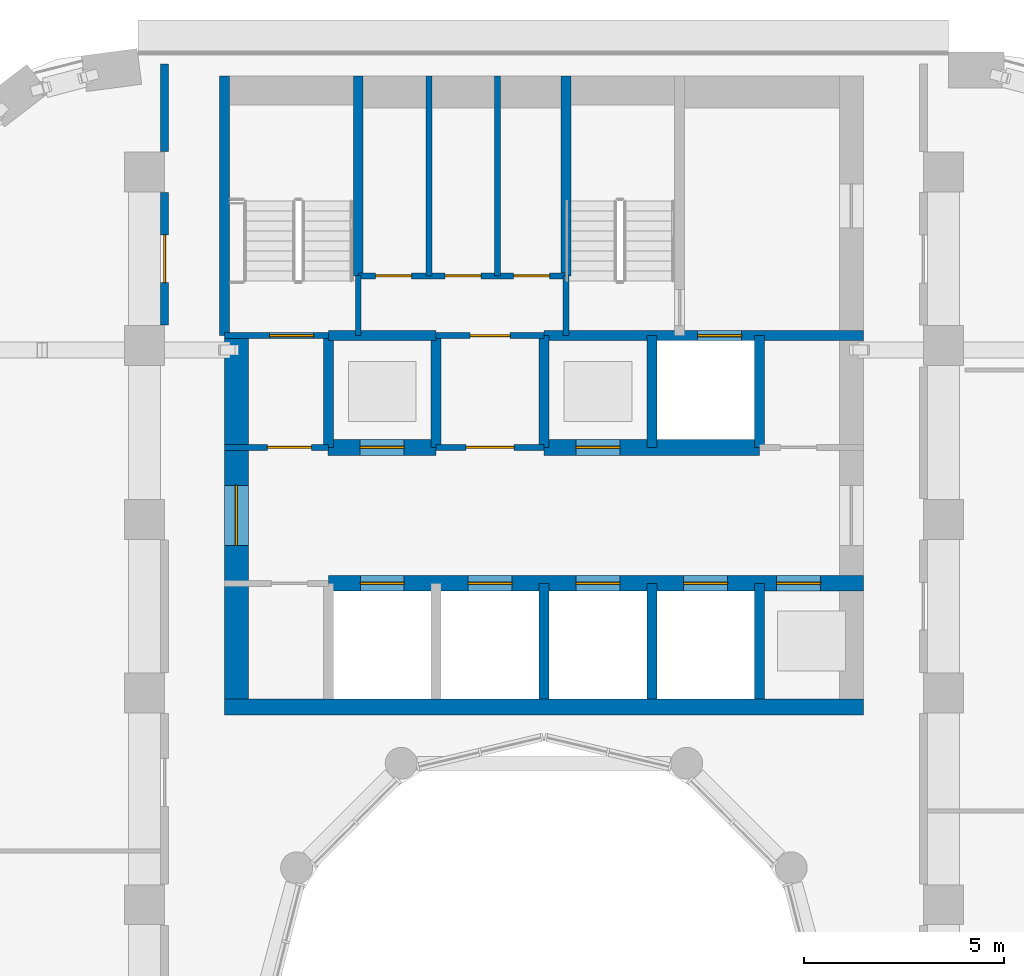
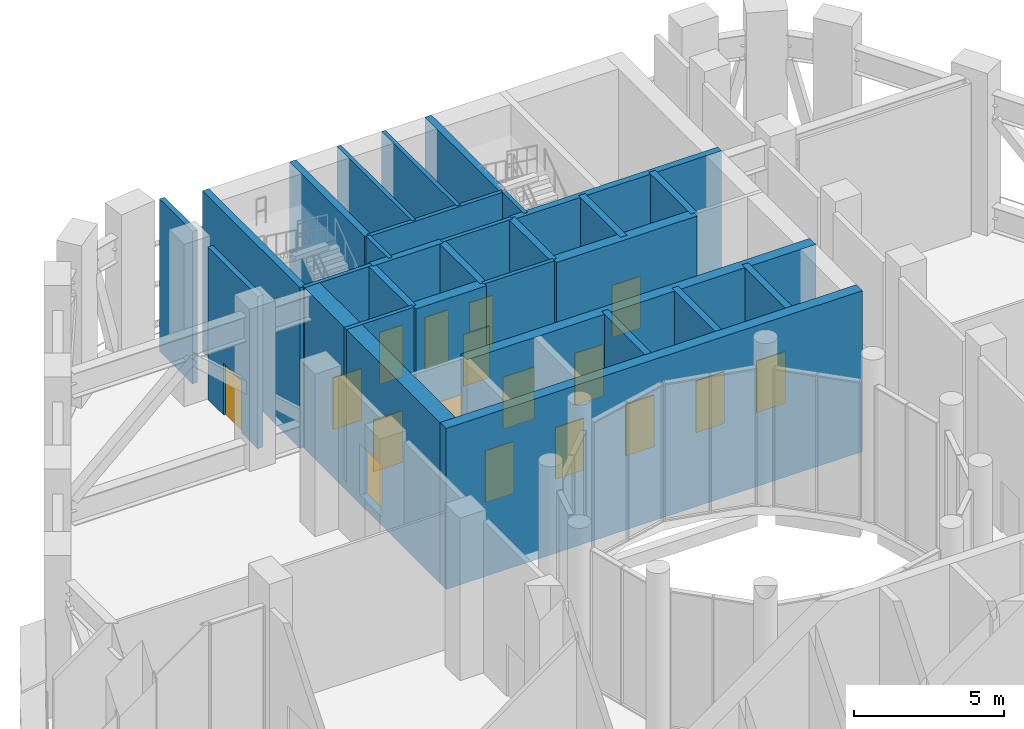
# One storey, part 10 of 21: 29 walls, 17 doors, 17 openings.
"""IFC4 building model written with IfcOpenShell, lengths in metres."""

from ifc_helpers import new_model, si_unit, direction, frame, frame_2d, origin, place, context, subcontext, project, spatial, rectangle, extrude, material, layer, layer_set, type_object, element, fill, save


model = new_model("IFC4")

# Units and contexts
model_context = context("Model", 3, precision=1e-05, world=origin(), true_north=direction((0.0, 1.0)))
body_context = subcontext(model_context, "Body", "Model", "MODEL_VIEW")
ifc_project = project(units=[si_unit("LENGTHUNIT", "METRE"), si_unit("AREAUNIT", "SQUARE_METRE"), si_unit("VOLUMEUNIT", "CUBIC_METRE"), si_unit("PLANEANGLEUNIT", "RADIAN"), si_unit("MASSUNIT", "GRAM", prefix="KILO")], contexts=[model_context])

# Site, building, storey
site_placement = place(None, origin())
site = spatial("IfcSite", under=ifc_project, at=site_placement, CompositionType="ELEMENT")
building_placement = place(site_placement, origin())
building = spatial("IfcBuilding", under=site, at=building_placement, Name="Nakaniwa Court", CompositionType="ELEMENT")
storey_placement = place(building_placement, frame((0.0, 0.0, 120.60009765625)))
storey = spatial("IfcBuildingStorey", under=building, at=storey_placement, Name="S2", CompositionType="ELEMENT", Elevation=120.60009765625)

# Wall, opening, door
ifc_material_1 = material(Name="Acoustic double stud partition")
ifc_layer_1 = layer(ifc_material_1, 0.199951171875)
ifc_layer_set_1 = layer_set([ifc_layer_1], Name="Acoustic double stud partition")
wall_type_1 = type_object("IfcWallType", Name="Acoustic double stud partition 200", PredefinedType="PARTITIONING", material=ifc_layer_set_1)
wall_1_placement = place(storey_placement, frame((70.5, 97.1669921875, 0.0), z_axis=(0.0, 0.0, 1.0), x_axis=(0.0, 1.0, 0.0)))
wall_1 = element("IfcWall", 1, at=wall_1_placement, inside=storey, type_object=wall_type_1, Name="Partition PW-085", PredefinedType="PARTITIONING", context=body_context, shape_type="SweptSolid", body=[
    extrude(rectangle(XDim=3.31591796875, YDim=0.199951171875, at=frame_2d((1.657958984375, 0.0))), origin(), (0.0, 0.0, 1.0), 6.18994140625),
])
opening_1_placement = place(wall_1_placement, frame((1.05810546875, 0.0, 0.0)))
opening_1 = element("IfcOpeningElement", 2, at=opening_1_placement, cuts=wall_1, Name="Opening D-35-06", PredefinedType="OPENING", context=body_context, shape_type="SweptSolid", body=[
    extrude(rectangle(XDim=1.199951171875, YDim=2.10009765625, at=frame_2d((0.60009765625, 1.050048828125))), frame((0.0, 0.10986328125, 0.0), z_axis=(0.0, -1.0, 0.0), x_axis=(1.0, 0.0, 0.0)), (0.0, 0.0, 1.0), 0.219970703125),
])
ifc_material_2 = material(Name="Fire rated steel door set", Category="steel")
door_type_1 = type_object("IfcDoorType", Name="Service room door 1200", OperationType="NOTDEFINED", PredefinedType="DOOR", material=ifc_material_2)
door_1_placement = place(opening_1_placement, origin())
door_1 = element("IfcDoor", 3, at=door_1_placement, inside=storey, type_object=door_type_1, Name="Door D-35-06 S2-030", OperationType="SINGLE_SWING_LEFT", OverallHeight=2.10009765625, OverallWidth=1.199951171875, PredefinedType="DOOR", context=body_context, shape_type="SweptSolid", body=[
    extrude(rectangle(XDim=1.199951171875, YDim=2.10009765625, at=frame_2d((0.60009765625, 1.050048828125))), frame((0.0, 0.02490234375, 0.0), z_axis=(0.0, -1.0, 0.0), x_axis=(1.0, 0.0, 0.0)), (0.0, 0.0, 1.0), 0.050048828125),
])
fill(opening_1, door_1)

# Wall
wall_2_placement = place(storey_placement, frame((70.5, 101.51708984375, 0.0), z_axis=(0.0, 0.0, 1.0), x_axis=(0.0, 1.0, 0.0)))
element("IfcWall", 4, at=wall_2_placement, inside=storey, type_object=wall_type_1, Name="Partition PW-086", PredefinedType="PARTITIONING", context=body_context, shape_type="SweptSolid", body=[
    extrude(rectangle(XDim=2.182861328125, YDim=0.199951171875, at=frame_2d((1.09130859375, 0.0))), origin(), (0.0, 0.0, 1.0), 6.18994140625),
])

# Wall, opening, door
ifc_material_3 = material(Name="Blockwork partition", Category="masonry")
ifc_layer_2 = layer(ifc_material_3, 0.14990234375)
ifc_layer_set_2 = layer_set([ifc_layer_2], Name="Blockwork partition")
wall_type_2 = type_object("IfcWallType", Name="Blockwork partition 150", PredefinedType="PARTITIONING", material=ifc_layer_set_2)
wall_3_placement = place(storey_placement, frame((72.0, 94.10009765625, 0.0), z_axis=(0.0, 0.0, 1.0), x_axis=(1.0, 0.0, 0.0)))
wall_3 = element("IfcWall", 5, at=wall_3_placement, inside=storey, type_object=wall_type_2, Name="Partition PW-015", PredefinedType="PARTITIONING", context=body_context, shape_type="SweptSolid", body=[
    extrude(rectangle(XDim=2.60302734375, YDim=0.14990234375, at=frame_2d((1.301513671875, 0.0))), origin(), (0.0, 0.0, 1.0), 6.18994140625),
])
opening_2_placement = place(wall_3_placement, frame((1.074951171875, 0.0, 0.0)))
opening_2 = element("IfcOpeningElement", 6, at=opening_2_placement, cuts=wall_3, Name="Opening D-08-01", PredefinedType="OPENING", context=body_context, shape_type="SweptSolid", body=[
    extrude(rectangle(XDim=1.10009765625, YDim=2.10009765625, at=frame_2d((0.550048828125, 1.050048828125))), frame((0.0, 0.0849609375, 0.0), z_axis=(0.0, -1.0, 0.0), x_axis=(1.0, 0.0, 0.0)), (0.0, 0.0, 1.0), 0.169921875),
])
door_type_2 = type_object("IfcDoorType", Name="Stair lobby door 1100", OperationType="NOTDEFINED", PredefinedType="DOOR", material=ifc_material_2)
door_2_placement = place(opening_2_placement, origin())
door_2 = element("IfcDoor", 7, at=door_2_placement, inside=storey, type_object=door_type_2, Name="Door D-08-01 S2-002", OperationType="SINGLE_SWING_LEFT", OverallHeight=2.10009765625, OverallWidth=1.10009765625, PredefinedType="DOOR", context=body_context, shape_type="SweptSolid", body=[
    extrude(rectangle(XDim=1.10009765625, YDim=2.10009765625, at=frame_2d((0.550048828125, 1.050048828125))), frame((0.0, 0.02490234375, 0.0), z_axis=(0.0, -1.0, 0.0), x_axis=(1.0, 0.0, 0.0)), (0.0, 0.0, 1.0), 0.050048828125),
])
fill(opening_2, door_2)

wall_4_placement = place(storey_placement, frame((77.297119140625, 94.10009765625, 0.0), z_axis=(0.0, 0.0, 1.0), x_axis=(1.0, 0.0, 0.0)))
wall_4 = element("IfcWall", 8, at=wall_4_placement, inside=storey, type_object=wall_type_2, Name="Partition PW-016", PredefinedType="PARTITIONING", context=body_context, shape_type="SweptSolid", body=[
    extrude(rectangle(XDim=2.705810546875, YDim=0.14990234375, at=frame_2d((1.35302734375, 0.0))), origin(), (0.0, 0.0, 1.0), 6.18994140625),
])
opening_3_placement = place(wall_4_placement, frame((0.7529296875, 0.0, 0.0)))
opening_3 = element("IfcOpeningElement", 9, at=opening_3_placement, cuts=wall_4, Name="Opening D-06-01", PredefinedType="OPENING", context=body_context, shape_type="SweptSolid", body=[
    extrude(rectangle(XDim=1.199951171875, YDim=2.10009765625, at=frame_2d((0.60009765625, 1.050048828125))), frame((0.0, 0.0849609375, 0.0), z_axis=(0.0, -1.0, 0.0), x_axis=(1.0, 0.0, 0.0)), (0.0, 0.0, 1.0), 0.169921875),
])
ifc_material_4 = material(Name="Fire rated steel double door set", Category="steel")
door_type_3 = type_object("IfcDoorType", Name="Service passage double door 1200", OperationType="NOTDEFINED", PredefinedType="DOOR", material=ifc_material_4)
door_3_placement = place(opening_3_placement, origin())
door_3 = element("IfcDoor", 10, at=door_3_placement, inside=storey, type_object=door_type_3, Name="Door D-06-01 S2-003", OperationType="DOUBLE_DOOR_SINGLE_SWING", OverallHeight=2.10009765625, OverallWidth=1.199951171875, PredefinedType="DOOR", context=body_context, shape_type="SweptSolid", body=[
    extrude(rectangle(XDim=1.199951171875, YDim=2.10009765625, at=frame_2d((0.60009765625, 1.050048828125))), frame((0.0, 0.02490234375, 0.0), z_axis=(0.0, -1.0, 0.0), x_axis=(1.0, 0.0, 0.0)), (0.0, 0.0, 1.0), 0.050048828125),
])
fill(opening_3, door_3)

wall_5_placement = place(storey_placement, frame((77.300048828125, 96.89990234375, 0.0), z_axis=(0.0, 0.0, 1.0), x_axis=(1.0, 0.0, 0.0)))
wall_5 = element("IfcWall", 11, at=wall_5_placement, inside=storey, type_object=wall_type_2, Name="Partition PW-023", PredefinedType="PARTITIONING", context=body_context, shape_type="SweptSolid", body=[
    extrude(rectangle(XDim=2.699951171875, YDim=0.14990234375, at=frame_2d((1.35009765625, 0.0))), origin(), (0.0, 0.0, 1.0), 6.18994140625),
])
opening_4_placement = place(wall_5_placement, frame((0.85009765625, 0.0, 0.0)))
opening_4 = element("IfcOpeningElement", 12, at=opening_4_placement, cuts=wall_5, Name="Opening D-23-01", PredefinedType="OPENING", context=body_context, shape_type="SweptSolid", body=[
    extrude(rectangle(XDim=1.0, YDim=2.10009765625, at=frame_2d((0.5, 1.050048828125))), frame((0.0, 0.0849609375, 0.0), z_axis=(0.0, -1.0, 0.0), x_axis=(1.0, 0.0, 0.0)), (0.0, 0.0, 1.0), 0.169921875),
])
door_type_4 = type_object("IfcDoorType", Name="Service room door 1000", OperationType="NOTDEFINED", PredefinedType="DOOR", material=ifc_material_2)
door_4_placement = place(opening_4_placement, origin())
door_4 = element("IfcDoor", 13, at=door_4_placement, inside=storey, type_object=door_type_4, Name="Door D-23-01 S2-005", OperationType="SINGLE_SWING_RIGHT", OverallHeight=2.10009765625, OverallWidth=1.0, PredefinedType="DOOR", context=body_context, shape_type="SweptSolid", body=[
    extrude(rectangle(XDim=1.0, YDim=2.10009765625, at=frame_2d((0.5, 1.050048828125))), frame((0.0, 0.02490234375, 0.0), z_axis=(0.0, -1.0, 0.0), x_axis=(1.0, 0.0, 0.0)), (0.0, 0.0, 1.0), 0.050048828125),
])
fill(opening_4, door_4)

# Wall, openings, doors
wall_6_placement = place(storey_placement, frame((75.35009765625, 98.39990234375, 0.0), z_axis=(0.0, 0.0, 1.0), x_axis=(1.0, 0.0, 0.0)))
wall_6 = element("IfcWall", 14, at=wall_6_placement, inside=storey, type_object=wall_type_2, Name="Partition PW-030", PredefinedType="PARTITIONING", context=body_context, shape_type="SweptSolid", body=[
    extrude(rectangle(XDim=5.199951171875, YDim=0.14990234375, at=frame_2d((2.60009765625, 0.0))), origin(), (0.0, 0.0, 1.0), 6.18994140625),
])
opening_5_placement = place(wall_6_placement, frame((0.43408203125, 0.0, 0.0)))
opening_5 = element("IfcOpeningElement", 15, at=opening_5_placement, cuts=wall_6, Name="Opening D-05-03", PredefinedType="OPENING", context=body_context, shape_type="SweptSolid", body=[
    extrude(rectangle(XDim=0.89990234375, YDim=2.10009765625, at=frame_2d((0.449951171875, 1.050048828125))), frame((0.0, 0.0849609375, 0.0), z_axis=(0.0, -1.0, 0.0), x_axis=(1.0, 0.0, 0.0)), (0.0, 0.0, 1.0), 0.169921875),
])
opening_6_placement = place(wall_6_placement, frame((2.176025390625, 0.0, 0.0)))
opening_6 = element("IfcOpeningElement", 16, at=opening_6_placement, cuts=wall_6, Name="Opening D-05-04", PredefinedType="OPENING", context=body_context, shape_type="SweptSolid", body=[
    extrude(rectangle(XDim=0.89990234375, YDim=2.10009765625, at=frame_2d((0.449951171875, 1.050048828125))), frame((0.0, 0.0849609375, 0.0), z_axis=(0.0, -1.0, 0.0), x_axis=(1.0, 0.0, 0.0)), (0.0, 0.0, 1.0), 0.169921875),
])
opening_7_placement = place(wall_6_placement, frame((3.89208984375, 0.0, 0.0)))
opening_7 = element("IfcOpeningElement", 17, at=opening_7_placement, cuts=wall_6, Name="Opening D-05-05", PredefinedType="OPENING", context=body_context, shape_type="SweptSolid", body=[
    extrude(rectangle(XDim=0.89990234375, YDim=2.10009765625, at=frame_2d((0.449951171875, 1.050048828125))), frame((0.0, 0.0849609375, 0.0), z_axis=(0.0, -1.0, 0.0), x_axis=(1.0, 0.0, 0.0)), (0.0, 0.0, 1.0), 0.169921875),
])
door_type_5 = type_object("IfcDoorType", Name="Service room door 900", OperationType="NOTDEFINED", PredefinedType="DOOR", material=ifc_material_2)
door_5_placement = place(opening_5_placement, origin())
door_5 = element("IfcDoor", 18, at=door_5_placement, inside=storey, type_object=door_type_5, Name="Door D-05-03 S2-006", OperationType="SINGLE_SWING_LEFT", OverallHeight=2.10009765625, OverallWidth=0.89990234375, PredefinedType="DOOR", context=body_context, shape_type="SweptSolid", body=[
    extrude(rectangle(XDim=0.89990234375, YDim=2.10009765625, at=frame_2d((0.449951171875, 1.050048828125))), frame((0.0, 0.02490234375, 0.0), z_axis=(0.0, -1.0, 0.0), x_axis=(1.0, 0.0, 0.0)), (0.0, 0.0, 1.0), 0.050048828125),
])
fill(opening_5, door_5)
door_6_placement = place(opening_6_placement, origin())
door_6 = element("IfcDoor", 19, at=door_6_placement, inside=storey, type_object=door_type_5, Name="Door D-05-04 S2-007", OperationType="SINGLE_SWING_RIGHT", OverallHeight=2.10009765625, OverallWidth=0.89990234375, PredefinedType="DOOR", context=body_context, shape_type="SweptSolid", body=[
    extrude(rectangle(XDim=0.89990234375, YDim=2.10009765625, at=frame_2d((0.449951171875, 1.050048828125))), frame((0.0, 0.02490234375, 0.0), z_axis=(0.0, -1.0, 0.0), x_axis=(1.0, 0.0, 0.0)), (0.0, 0.0, 1.0), 0.050048828125),
])
fill(opening_6, door_6)
door_7_placement = place(opening_7_placement, origin())
door_7 = element("IfcDoor", 20, at=door_7_placement, inside=storey, type_object=door_type_5, Name="Door D-05-05 S2-008", OperationType="SINGLE_SWING_LEFT", OverallHeight=2.10009765625, OverallWidth=0.89990234375, PredefinedType="DOOR", context=body_context, shape_type="SweptSolid", body=[
    extrude(rectangle(XDim=0.89990234375, YDim=2.10009765625, at=frame_2d((0.449951171875, 1.050048828125))), frame((0.0, 0.02490234375, 0.0), z_axis=(0.0, -1.0, 0.0), x_axis=(1.0, 0.0, 0.0)), (0.0, 0.0, 1.0), 0.050048828125),
])
fill(opening_7, door_7)

# Walls
for number, where, z_axis, x_axis, name in (
    (21, (77.117919921875, 98.39990234375, 0.0), (0.0, 0.0, 1.0), (0.0, 1.0, 0.0), "Partition PW-031"),
    (22, (78.833984375, 98.39990234375, 0.0), (0.0, 0.0, 1.0), (0.0, 1.0, 0.0), "Partition PW-032"),
):
    element("IfcWall", number, at=place(storey_placement, frame(where, z_axis=z_axis, x_axis=x_axis)), inside=storey, type_object=wall_type_2, Name=name, PredefinedType="PARTITIONING", context=body_context, shape_type="SweptSolid", body=[
        extrude(rectangle(XDim=5.0, YDim=0.14990234375, at=frame_2d((2.5, 0.0))), origin(), (0.0, 0.0, 1.0), 6.18994140625),
    ])

# Wall, opening, door
ifc_material_5 = material(Name="Concrete C80/100", Category="concrete")
ifc_layer_3 = layer(ifc_material_5, 0.60009765625)
ifc_layer_set_3 = layer_set([ifc_layer_3], Name="Concrete C80/100")
wall_type_3 = type_object("IfcWallType", Name="Concrete core side wall 600 C80", PredefinedType="SHEAR", material=ifc_layer_set_3)
wall_7_placement = place(storey_placement, frame((72.300048828125, 87.800048828125, -0.35009765625), z_axis=(0.0, 0.0, 1.0), x_axis=(0.0, 1.0, 0.0)))
wall_7 = element("IfcWall", 23, at=wall_7_placement, inside=storey, type_object=wall_type_3, Name="Core wall SW-04", PredefinedType="SHEAR", context=body_context, shape_type="SweptSolid", body=[
    extrude(rectangle(XDim=9.099853515625, YDim=0.60009765625, at=frame_2d((4.5498046875, 0.0))), origin(), (0.0, 0.0, 1.0), 6.5400390625),
])
opening_8_placement = place(wall_7_placement, frame((3.85009765625, 0.0, 0.35009765625)))
opening_8 = element("IfcOpeningElement", 24, at=opening_8_placement, cuts=wall_7, Name="Opening D-07-02", PredefinedType="OPENING", context=body_context, shape_type="SweptSolid", body=[
    extrude(rectangle(XDim=1.5, YDim=2.10009765625, at=frame_2d((0.75, 1.050048828125))), frame((0.0, 0.31005859375, 0.0), z_axis=(0.0, -1.0, 0.0), x_axis=(1.0, 0.0, 0.0)), (0.0, 0.0, 1.0), 0.6201171875),
])
ifc_material_6 = material(Name="Glazed fire rated steel double door set", Category="steel")
door_type_6 = type_object("IfcDoorType", Name="Lobby double door 1500", OperationType="NOTDEFINED", PredefinedType="DOOR", material=ifc_material_6)
door_8_placement = place(opening_8_placement, origin())
door_8 = element("IfcDoor", 25, at=door_8_placement, inside=storey, type_object=door_type_6, Name="Door D-07-02 S2-032", OperationType="DOUBLE_DOOR_SINGLE_SWING", OverallHeight=2.10009765625, OverallWidth=1.5, PredefinedType="DOOR", context=body_context, shape_type="SweptSolid", body=[
    extrude(rectangle(XDim=1.5, YDim=2.10009765625, at=frame_2d((0.75, 1.050048828125))), frame((0.0, 0.02490234375, 0.0), z_axis=(0.0, -1.0, 0.0), x_axis=(1.0, 0.0, 0.0)), (0.0, 0.0, 1.0), 0.050048828125),
])
fill(opening_8, door_8)

# Wall, openings, doors
ifc_layer_4 = layer(ifc_material_5, 0.39990234375)
ifc_layer_set_4 = layer_set([ifc_layer_4], Name="Concrete C80/100")
wall_type_4 = type_object("IfcWallType", Name="Concrete core spine wall 400 C80", PredefinedType="SHEAR", material=ifc_layer_set_4)
wall_8_placement = place(storey_placement, frame((74.60009765625, 90.699951171875, -0.35009765625), z_axis=(0.0, 0.0, 1.0), x_axis=(1.0, 0.0, 0.0)))
wall_8 = element("IfcWall", 26, at=wall_8_placement, inside=storey, type_object=wall_type_4, Name="Core wall SW-07", PredefinedType="SHEAR", context=body_context, shape_type="SweptSolid", body=[
    extrude(rectangle(XDim=13.39990234375, YDim=0.39990234375, at=frame_2d((6.699951171875, 0.0))), origin(), (0.0, 0.0, 1.0), 6.5400390625),
])
opening_9_placement = place(wall_8_placement, frame((0.800048828125, 0.0, 0.35009765625)))
opening_9 = element("IfcOpeningElement", 27, at=opening_9_placement, cuts=wall_8, Name="Opening LD01", PredefinedType="OPENING", context=body_context, shape_type="SweptSolid", body=[
    extrude(rectangle(XDim=1.10009765625, YDim=2.10009765625, at=frame_2d((0.550048828125, 1.050048828125))), frame((0.0, 0.2099609375, 0.0), z_axis=(0.0, -1.0, 0.0), x_axis=(1.0, 0.0, 0.0)), (0.0, 0.0, 1.0), 0.419921875),
])
opening_10_placement = place(wall_8_placement, frame((3.5, 0.0, 0.35009765625)))
opening_10 = element("IfcOpeningElement", 28, at=opening_10_placement, cuts=wall_8, Name="Opening LD02", PredefinedType="OPENING", context=body_context, shape_type="SweptSolid", body=[
    extrude(rectangle(XDim=1.10009765625, YDim=2.10009765625, at=frame_2d((0.550048828125, 1.050048828125))), frame((0.0, 0.2099609375, 0.0), z_axis=(0.0, -1.0, 0.0), x_axis=(1.0, 0.0, 0.0)), (0.0, 0.0, 1.0), 0.419921875),
])
opening_11_placement = place(wall_8_placement, frame((6.199951171875, 0.0, 0.35009765625)))
opening_11 = element("IfcOpeningElement", 29, at=opening_11_placement, cuts=wall_8, Name="Opening LD03", PredefinedType="OPENING", context=body_context, shape_type="SweptSolid", body=[
    extrude(rectangle(XDim=1.10009765625, YDim=2.10009765625, at=frame_2d((0.550048828125, 1.050048828125))), frame((0.0, 0.2099609375, 0.0), z_axis=(0.0, -1.0, 0.0), x_axis=(1.0, 0.0, 0.0)), (0.0, 0.0, 1.0), 0.419921875),
])
opening_12_placement = place(wall_8_placement, frame((8.89990234375, 0.0, 0.35009765625)))
opening_12 = element("IfcOpeningElement", 30, at=opening_12_placement, cuts=wall_8, Name="Opening LD04", PredefinedType="OPENING", context=body_context, shape_type="SweptSolid", body=[
    extrude(rectangle(XDim=1.10009765625, YDim=2.10009765625, at=frame_2d((0.550048828125, 1.050048828125))), frame((0.0, 0.2099609375, 0.0), z_axis=(0.0, -1.0, 0.0), x_axis=(1.0, 0.0, 0.0)), (0.0, 0.0, 1.0), 0.419921875),
])
opening_13_placement = place(wall_8_placement, frame((11.22509765625, 0.0, 0.35009765625)))
opening_13 = element("IfcOpeningElement", 31, at=opening_13_placement, cuts=wall_8, Name="Opening LD05", PredefinedType="OPENING", context=body_context, shape_type="SweptSolid", body=[
    extrude(rectangle(XDim=1.10009765625, YDim=2.10009765625, at=frame_2d((0.550048828125, 1.050048828125))), frame((0.0, 0.2099609375, 0.0), z_axis=(0.0, -1.0, 0.0), x_axis=(1.0, 0.0, 0.0)), (0.0, 0.0, 1.0), 0.419921875),
])
ifc_material_7 = material(Name="Stainless steel sliding lift landing door", Category="steel")
door_type_7 = type_object("IfcDoorType", Name="Lift landing door 1100", OperationType="NOTDEFINED", PredefinedType="DOOR", material=ifc_material_7)
door_9_placement = place(opening_9_placement, origin())
door_9 = element("IfcDoor", 32, at=door_9_placement, inside=storey, type_object=door_type_7, Name="Lift landing door LD01 S2-001", OperationType="SLIDING_TO_LEFT", OverallHeight=2.10009765625, OverallWidth=1.10009765625, PredefinedType="DOOR", context=body_context, shape_type="SweptSolid", body=[
    extrude(rectangle(XDim=1.10009765625, YDim=2.10009765625, at=frame_2d((0.550048828125, 1.050048828125))), frame((0.0, 0.02490234375, 0.0), z_axis=(0.0, -1.0, 0.0), x_axis=(1.0, 0.0, 0.0)), (0.0, 0.0, 1.0), 0.050048828125),
])
fill(opening_9, door_9)
door_10_placement = place(opening_10_placement, origin())
door_10 = element("IfcDoor", 33, at=door_10_placement, inside=storey, type_object=door_type_7, Name="Lift landing door LD02 S2-002", OperationType="SLIDING_TO_LEFT", OverallHeight=2.10009765625, OverallWidth=1.10009765625, PredefinedType="DOOR", context=body_context, shape_type="SweptSolid", body=[
    extrude(rectangle(XDim=1.10009765625, YDim=2.10009765625, at=frame_2d((0.550048828125, 1.050048828125))), frame((0.0, 0.02490234375, 0.0), z_axis=(0.0, -1.0, 0.0), x_axis=(1.0, 0.0, 0.0)), (0.0, 0.0, 1.0), 0.050048828125),
])
fill(opening_10, door_10)
door_11_placement = place(opening_11_placement, origin())
door_11 = element("IfcDoor", 34, at=door_11_placement, inside=storey, type_object=door_type_7, Name="Lift landing door LD03 S2-003", OperationType="SLIDING_TO_LEFT", OverallHeight=2.10009765625, OverallWidth=1.10009765625, PredefinedType="DOOR", context=body_context, shape_type="SweptSolid", body=[
    extrude(rectangle(XDim=1.10009765625, YDim=2.10009765625, at=frame_2d((0.550048828125, 1.050048828125))), frame((0.0, 0.02490234375, 0.0), z_axis=(0.0, -1.0, 0.0), x_axis=(1.0, 0.0, 0.0)), (0.0, 0.0, 1.0), 0.050048828125),
])
fill(opening_11, door_11)
door_12_placement = place(opening_12_placement, origin())
door_12 = element("IfcDoor", 35, at=door_12_placement, inside=storey, type_object=door_type_7, Name="Lift landing door LD04 S2-004", OperationType="SLIDING_TO_LEFT", OverallHeight=2.10009765625, OverallWidth=1.10009765625, PredefinedType="DOOR", context=body_context, shape_type="SweptSolid", body=[
    extrude(rectangle(XDim=1.10009765625, YDim=2.10009765625, at=frame_2d((0.550048828125, 1.050048828125))), frame((0.0, 0.02490234375, 0.0), z_axis=(0.0, -1.0, 0.0), x_axis=(1.0, 0.0, 0.0)), (0.0, 0.0, 1.0), 0.050048828125),
])
fill(opening_12, door_12)
door_13_placement = place(opening_13_placement, origin())
door_13 = element("IfcDoor", 36, at=door_13_placement, inside=storey, type_object=door_type_7, Name="Lift landing door LD05 S2-005", OperationType="SLIDING_TO_LEFT", OverallHeight=2.10009765625, OverallWidth=1.10009765625, PredefinedType="DOOR", context=body_context, shape_type="SweptSolid", body=[
    extrude(rectangle(XDim=1.10009765625, YDim=2.10009765625, at=frame_2d((0.550048828125, 1.050048828125))), frame((0.0, 0.02490234375, 0.0), z_axis=(0.0, -1.0, 0.0), x_axis=(1.0, 0.0, 0.0)), (0.0, 0.0, 1.0), 0.050048828125),
])
fill(opening_13, door_13)

# Wall, opening, door
wall_9_placement = place(storey_placement, frame((74.596923828125, 94.10009765625, -0.35009765625), z_axis=(0.0, 0.0, 1.0), x_axis=(1.0, 0.0, 0.0)))
wall_9 = element("IfcWall", 37, at=wall_9_placement, inside=storey, type_object=wall_type_4, Name="Core wall SW-18", PredefinedType="SHEAR", context=body_context, shape_type="SweptSolid", body=[
    extrude(rectangle(XDim=2.7060546875, YDim=0.39990234375, at=frame_2d((1.35302734375, 0.0))), origin(), (0.0, 0.0, 1.0), 6.5400390625),
])
opening_14_placement = place(wall_9_placement, frame((0.802978515625, 0.0, 0.35009765625)))
opening_14 = element("IfcOpeningElement", 38, at=opening_14_placement, cuts=wall_9, Name="Opening LD06", PredefinedType="OPENING", context=body_context, shape_type="SweptSolid", body=[
    extrude(rectangle(XDim=1.10009765625, YDim=2.10009765625, at=frame_2d((0.550048828125, 1.050048828125))), frame((0.0, 0.2099609375, 0.0), z_axis=(0.0, -1.0, 0.0), x_axis=(1.0, 0.0, 0.0)), (0.0, 0.0, 1.0), 0.419921875),
])
door_14_placement = place(opening_14_placement, origin())
door_14 = element("IfcDoor", 39, at=door_14_placement, inside=storey, type_object=door_type_7, Name="Lift landing door LD06 S2-006", OperationType="SLIDING_TO_LEFT", OverallHeight=2.10009765625, OverallWidth=1.10009765625, PredefinedType="DOOR", context=body_context, shape_type="SweptSolid", body=[
    extrude(rectangle(XDim=1.10009765625, YDim=2.10009765625, at=frame_2d((0.550048828125, 1.050048828125))), frame((0.0, 0.02490234375, 0.0), z_axis=(0.0, -1.0, 0.0), x_axis=(1.0, 0.0, 0.0)), (0.0, 0.0, 1.0), 0.050048828125),
])
fill(opening_14, door_14)

wall_10_placement = place(storey_placement, frame((79.9970703125, 94.10009765625, -0.35009765625), z_axis=(0.0, 0.0, 1.0), x_axis=(1.0, 0.0, 0.0)))
wall_10 = element("IfcWall", 40, at=wall_10_placement, inside=storey, type_object=wall_type_4, Name="Core wall SW-19", PredefinedType="SHEAR", context=body_context, shape_type="SweptSolid", body=[
    extrude(rectangle(XDim=5.406005859375, YDim=0.39990234375, at=frame_2d((2.703125, 0.0))), origin(), (0.0, 0.0, 1.0), 6.5400390625),
])
opening_15_placement = place(wall_10_placement, frame((0.802978515625, 0.0, 0.35009765625)))
opening_15 = element("IfcOpeningElement", 41, at=opening_15_placement, cuts=wall_10, Name="Opening LD07", PredefinedType="OPENING", context=body_context, shape_type="SweptSolid", body=[
    extrude(rectangle(XDim=1.10009765625, YDim=2.10009765625, at=frame_2d((0.550048828125, 1.050048828125))), frame((0.0, 0.2099609375, 0.0), z_axis=(0.0, -1.0, 0.0), x_axis=(1.0, 0.0, 0.0)), (0.0, 0.0, 1.0), 0.419921875),
])
door_15_placement = place(opening_15_placement, origin())
door_15 = element("IfcDoor", 42, at=door_15_placement, inside=storey, type_object=door_type_7, Name="Lift landing door LD07 S2-007", OperationType="SLIDING_TO_LEFT", OverallHeight=2.10009765625, OverallWidth=1.10009765625, PredefinedType="DOOR", context=body_context, shape_type="SweptSolid", body=[
    extrude(rectangle(XDim=1.10009765625, YDim=2.10009765625, at=frame_2d((0.550048828125, 1.050048828125))), frame((0.0, 0.02490234375, 0.0), z_axis=(0.0, -1.0, 0.0), x_axis=(1.0, 0.0, 0.0)), (0.0, 0.0, 1.0), 0.050048828125),
])
fill(opening_15, door_15)

ifc_layer_5 = layer(ifc_material_5, 0.14990234375)
ifc_layer_set_5 = layer_set([ifc_layer_5], Name="Concrete C80/100")
wall_type_5 = type_object("IfcWallType", Name="Concrete core wall 150 C80", PredefinedType="SHEAR", material=ifc_layer_set_5)
wall_11_placement = place(storey_placement, frame((74.60009765625, 96.89990234375, -0.35009765625), z_axis=(0.0, 0.0, 1.0), x_axis=(-1.0, 0.0, 0.0)))
wall_11 = element("IfcWall", 43, at=wall_11_placement, inside=storey, type_object=wall_type_5, Name="Core wall SW-20", PredefinedType="SHEAR", context=body_context, shape_type="SweptSolid", body=[
    extrude(rectangle(XDim=2.60009765625, YDim=0.14990234375, at=frame_2d((1.300048828125, 0.0))), origin(), (0.0, 0.0, 1.0), 6.5400390625),
])
opening_16_placement = place(wall_11_placement, frame((0.3701171875, 0.0, 0.35009765625)))
opening_16 = element("IfcOpeningElement", 44, at=opening_16_placement, cuts=wall_11, Name="Opening D-09-01", PredefinedType="OPENING", context=body_context, shape_type="SweptSolid", body=[
    extrude(rectangle(XDim=1.10009765625, YDim=2.10009765625, at=frame_2d((0.550048828125, 1.050048828125))), frame((0.0, 0.0849609375, 0.0), z_axis=(0.0, -1.0, 0.0), x_axis=(1.0, 0.0, 0.0)), (0.0, 0.0, 1.0), 0.169921875),
])
door_type_8 = type_object("IfcDoorType", Name="Stair door 1100", OperationType="NOTDEFINED", PredefinedType="DOOR", material=ifc_material_2)
door_16_placement = place(opening_16_placement, origin())
door_16 = element("IfcDoor", 45, at=door_16_placement, inside=storey, type_object=door_type_8, Name="Door D-09-01 S2-009", OperationType="SINGLE_SWING_LEFT", OverallHeight=2.10009765625, OverallWidth=1.10009765625, PredefinedType="DOOR", context=body_context, shape_type="SweptSolid", body=[
    extrude(rectangle(XDim=1.10009765625, YDim=2.10009765625, at=frame_2d((0.550048828125, 1.050048828125))), frame((0.0, 0.02490234375, 0.0), z_axis=(0.0, -1.0, 0.0), x_axis=(1.0, 0.0, 0.0)), (0.0, 0.0, 1.0), 0.050048828125),
])
fill(opening_16, door_16)

# Walls
for number, where, z_axis, x_axis, name in (
    (46, (75.35009765625, 96.89990234375, -0.35009765625), (0.0, 0.0, 1.0), (0.0, 1.0, 0.0), "Core wall SW-24"),
    (47, (80.550048828125, 96.89990234375, -0.35009765625), (0.0, 0.0, 1.0), (0.0, 1.0, 0.0), "Core wall SW-28"),
):
    element("IfcWall", number, at=place(storey_placement, frame(where, z_axis=z_axis, x_axis=x_axis)), inside=storey, type_object=wall_type_5, Name=name, PredefinedType="SHEAR", context=body_context, shape_type="SweptSolid", body=[
        extrude(rectangle(XDim=1.503173828125, YDim=0.14990234375, at=frame_2d((0.75146484375, 0.0))), origin(), (0.0, 0.0, 1.0), 6.5400390625),
    ])
ifc_layer_6 = layer(ifc_material_5, 0.25)
ifc_layer_set_6 = layer_set([ifc_layer_6], Name="Concrete C80/100")
wall_type_6 = type_object("IfcWallType", Name="Concrete core wall 250 C80", PredefinedType="SHEAR", material=ifc_layer_set_6)
wall_12_placement = place(storey_placement, frame((72.0, 96.89990234375, -0.35009765625), z_axis=(0.0, 0.0, 1.0), x_axis=(0.0, 1.0, 0.0)))
element("IfcWall", 48, at=wall_12_placement, inside=storey, type_object=wall_type_6, Name="Core wall SW-26", PredefinedType="SHEAR", context=body_context, shape_type="SweptSolid", body=[
    extrude(rectangle(XDim=6.5, YDim=0.25, at=frame_2d((3.25, 0.0))), origin(), (0.0, 0.0, 1.0), 6.5400390625),
])
ifc_layer_7 = layer(ifc_material_5, 0.39990234375)
ifc_layer_set_7 = layer_set([ifc_layer_7], Name="Concrete C80/100")
wall_type_7 = type_object("IfcWallType", Name="Concrete core well wall 400 C80", PredefinedType="SHEAR", material=ifc_layer_set_7)
wall_13_placement = place(storey_placement, frame((72.00390625, 87.60009765625, -0.35009765625), z_axis=(0.0, 0.0, 1.0), x_axis=(1.0, 0.0, 0.0)))
element("IfcWall", 49, at=wall_13_placement, inside=storey, type_object=wall_type_7, Name="Core wall SW-91", PredefinedType="SHEAR", context=body_context, shape_type="SweptSolid", body=[
    extrude(rectangle(XDim=15.9921875, YDim=0.39990234375, at=frame_2d((7.99609375, 0.0))), origin(), (0.0, 0.0, 1.0), 6.5400390625),
])
ifc_layer_8 = layer(ifc_material_5, 0.25)
ifc_layer_set_8 = layer_set([ifc_layer_8], Name="Concrete C80/100")
wall_type_8 = type_object("IfcWallType", Name="Concrete shaft wall 250 C80", PredefinedType="SHEAR", material=ifc_layer_set_8)
for number, where, z_axis, x_axis, name in (
    (50, (74.60009765625, 94.10009765625, -0.35009765625), (0.0, 0.0, 1.0), (0.0, 1.0, 0.0), "Core wall SW-02"),
    (51, (77.300048828125, 94.10009765625, -0.35009765625), (0.0, 0.0, 1.0), (0.0, 1.0, 0.0), "Core wall SW-06"),
):
    element("IfcWall", number, at=place(storey_placement, frame(where, z_axis=z_axis, x_axis=x_axis)), inside=storey, type_object=wall_type_8, Name=name, PredefinedType="SHEAR", context=body_context, shape_type="SweptSolid", body=[
        extrude(rectangle(XDim=2.7998046875, YDim=0.25, at=frame_2d((1.39990234375, 0.0))), origin(), (0.0, 0.0, 1.0), 6.5400390625),
    ])
wall_14_placement = place(storey_placement, frame((80.0, 87.800048828125, -0.35009765625), z_axis=(0.0, 0.0, 1.0), x_axis=(0.0, 1.0, 0.0)))
element("IfcWall", 52, at=wall_14_placement, inside=storey, type_object=wall_type_8, Name="Core wall SW-08", PredefinedType="SHEAR", context=body_context, shape_type="SweptSolid", body=[
    extrude(rectangle(XDim=2.89990234375, YDim=0.25, at=frame_2d((1.449951171875, 0.0))), origin(), (0.0, 0.0, 1.0), 6.5400390625),
])
wall_15_placement = place(storey_placement, frame((80.0, 94.10009765625, -0.35009765625), z_axis=(0.0, 0.0, 1.0), x_axis=(0.0, 1.0, 0.0)))
element("IfcWall", 53, at=wall_15_placement, inside=storey, type_object=wall_type_8, Name="Core wall SW-09", PredefinedType="SHEAR", context=body_context, shape_type="SweptSolid", body=[
    extrude(rectangle(XDim=2.7998046875, YDim=0.25, at=frame_2d((1.39990234375, 0.0))), origin(), (0.0, 0.0, 1.0), 6.5400390625),
])
wall_16_placement = place(storey_placement, frame((82.699951171875, 87.800048828125, -0.35009765625), z_axis=(0.0, 0.0, 1.0), x_axis=(0.0, 1.0, 0.0)))
element("IfcWall", 54, at=wall_16_placement, inside=storey, type_object=wall_type_8, Name="Core wall SW-10", PredefinedType="SHEAR", context=body_context, shape_type="SweptSolid", body=[
    extrude(rectangle(XDim=2.89990234375, YDim=0.25, at=frame_2d((1.449951171875, 0.0))), origin(), (0.0, 0.0, 1.0), 6.5400390625),
])
wall_17_placement = place(storey_placement, frame((82.699951171875, 94.10009765625, -0.35009765625), z_axis=(0.0, 0.0, 1.0), x_axis=(0.0, 1.0, 0.0)))
element("IfcWall", 55, at=wall_17_placement, inside=storey, type_object=wall_type_8, Name="Core wall SW-11", PredefinedType="SHEAR", context=body_context, shape_type="SweptSolid", body=[
    extrude(rectangle(XDim=2.7998046875, YDim=0.25, at=frame_2d((1.39990234375, 0.0))), origin(), (0.0, 0.0, 1.0), 6.5400390625),
])
wall_18_placement = place(storey_placement, frame((85.39990234375, 87.800048828125, -0.35009765625), z_axis=(0.0, 0.0, 1.0), x_axis=(0.0, 1.0, 0.0)))
element("IfcWall", 56, at=wall_18_placement, inside=storey, type_object=wall_type_8, Name="Core wall SW-12", PredefinedType="SHEAR", context=body_context, shape_type="SweptSolid", body=[
    extrude(rectangle(XDim=2.89990234375, YDim=0.25, at=frame_2d((1.449951171875, 0.0))), origin(), (0.0, 0.0, 1.0), 6.5400390625),
])
wall_19_placement = place(storey_placement, frame((85.39990234375, 94.10009765625, -0.35009765625), z_axis=(0.0, 0.0, 1.0), x_axis=(0.0, 1.0, 0.0)))
element("IfcWall", 57, at=wall_19_placement, inside=storey, type_object=wall_type_8, Name="Core wall SW-13", PredefinedType="SHEAR", context=body_context, shape_type="SweptSolid", body=[
    extrude(rectangle(XDim=2.7998046875, YDim=0.25, at=frame_2d((1.39990234375, 0.0))), origin(), (0.0, 0.0, 1.0), 6.5400390625),
])
wall_20_placement = place(storey_placement, frame((74.60009765625, 96.89990234375, -0.35009765625), z_axis=(0.0, 0.0, 1.0), x_axis=(1.0, 0.0, 0.0)))
element("IfcWall", 58, at=wall_20_placement, inside=storey, type_object=wall_type_8, Name="Core wall SW-21", PredefinedType="SHEAR", context=body_context, shape_type="SweptSolid", body=[
    extrude(rectangle(XDim=2.699951171875, YDim=0.25, at=frame_2d((1.35009765625, 0.0))), origin(), (0.0, 0.0, 1.0), 6.5400390625),
])

# Wall, opening, door
wall_21_placement = place(storey_placement, frame((80.0, 96.89990234375, -0.35009765625), z_axis=(0.0, 0.0, 1.0), x_axis=(1.0, 0.0, 0.0)))
wall_21 = element("IfcWall", 59, at=wall_21_placement, inside=storey, type_object=wall_type_8, Name="Core wall SW-22", PredefinedType="SHEAR", context=body_context, shape_type="SweptSolid", body=[
    extrude(rectangle(XDim=8.0, YDim=0.25, at=frame_2d((4.0, 0.0))), origin(), (0.0, 0.0, 1.0), 6.5400390625),
])
opening_17_placement = place(wall_21_placement, frame((3.84912109375, 0.0, 0.35009765625)))
opening_17 = element("IfcOpeningElement", 60, at=opening_17_placement, cuts=wall_21, Name="Opening LD08", PredefinedType="OPENING", context=body_context, shape_type="SweptSolid", body=[
    extrude(rectangle(XDim=1.10009765625, YDim=2.10009765625, at=frame_2d((0.550048828125, 1.050048828125))), frame((0.0, 0.135009765625, 0.0), z_axis=(0.0, -1.0, 0.0), x_axis=(1.0, 0.0, 0.0)), (0.0, 0.0, 1.0), 0.27001953125),
])
door_17_placement = place(opening_17_placement, origin())
door_17 = element("IfcDoor", 61, at=door_17_placement, inside=storey, type_object=door_type_7, Name="Lift landing door LD08 S2-008", OperationType="SLIDING_TO_LEFT", OverallHeight=2.10009765625, OverallWidth=1.10009765625, PredefinedType="DOOR", context=body_context, shape_type="SweptSolid", body=[
    extrude(rectangle(XDim=1.10009765625, YDim=2.10009765625, at=frame_2d((0.550048828125, 1.050048828125))), frame((0.0, 0.02490234375, 0.0), z_axis=(0.0, -1.0, 0.0), x_axis=(1.0, 0.0, 0.0)), (0.0, 0.0, 1.0), 0.050048828125),
])
fill(opening_17, door_17)

# Walls
for number, where, z_axis, x_axis, name in (
    (62, (75.35009765625, 98.39697265625, -0.35009765625), (0.0, 0.0, 1.0), (0.0, 1.0, 0.0), "Core wall SW-25"),
    (63, (80.550048828125, 98.39697265625, -0.35009765625), (0.0, 0.0, 1.0), (0.0, 1.0, 0.0), "Core wall SW-29"),
):
    element("IfcWall", number, at=place(storey_placement, frame(where, z_axis=z_axis, x_axis=x_axis)), inside=storey, type_object=wall_type_8, Name=name, PredefinedType="SHEAR", context=body_context, shape_type="SweptSolid", body=[
        extrude(rectangle(XDim=5.0029296875, YDim=0.25, at=frame_2d((2.50146484375, 0.0))), origin(), (0.0, 0.0, 1.0), 6.5400390625),
    ])

save(model, "model.ifc")
